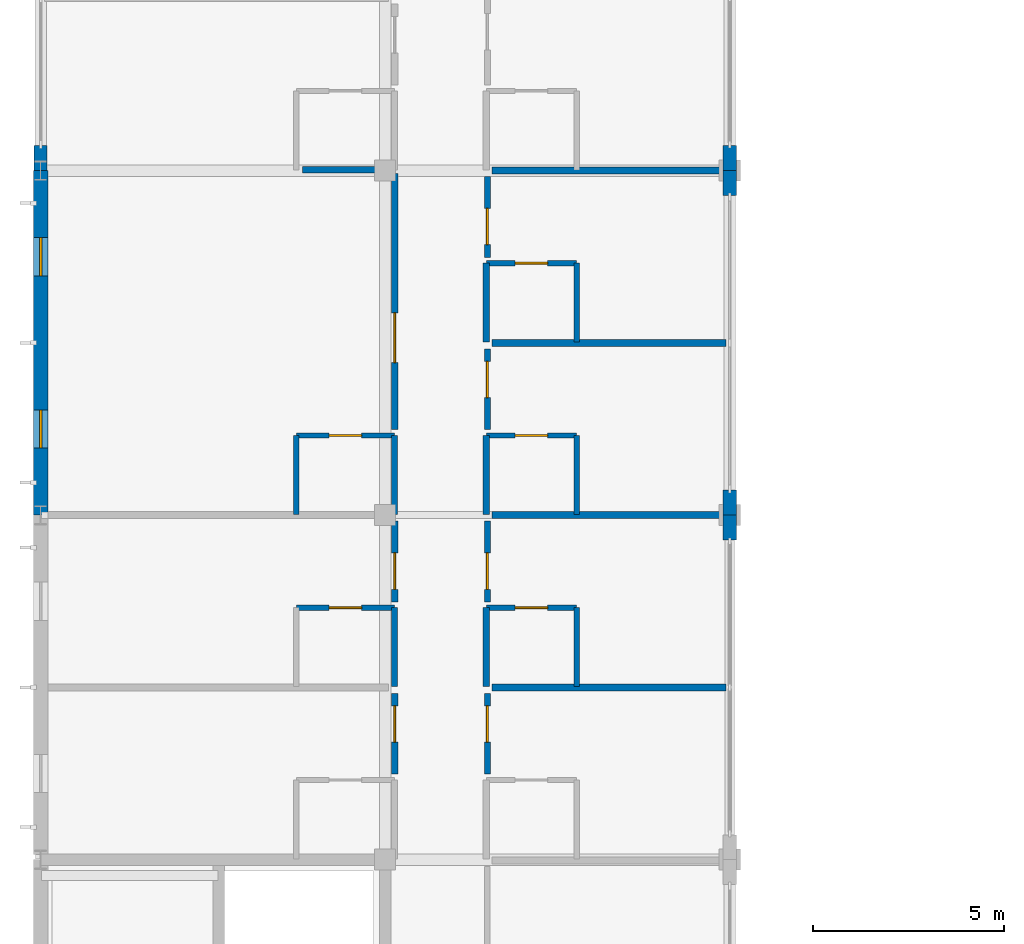
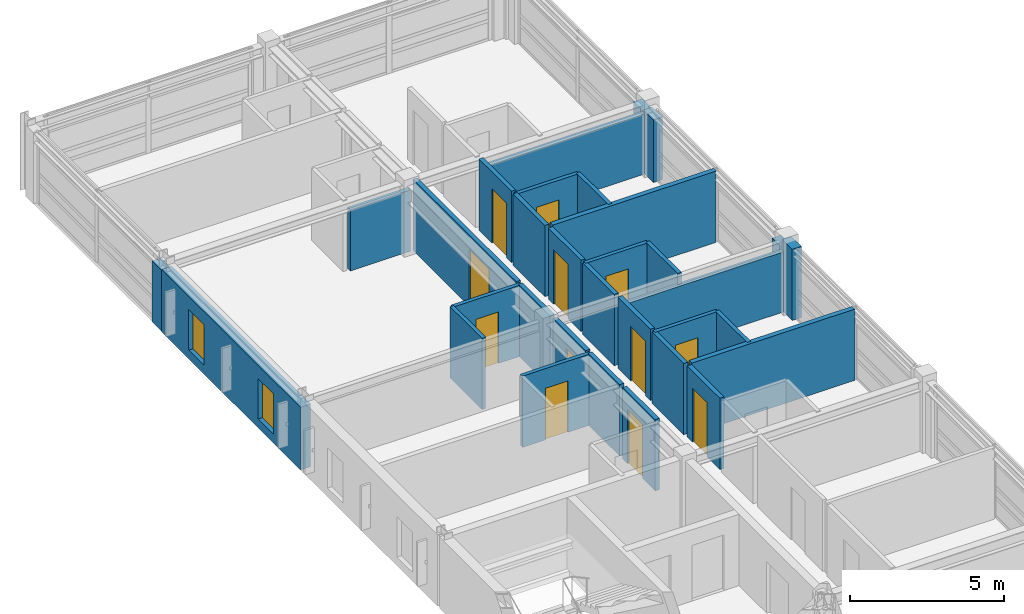
# One storey, part 20 of 30: 32 walls, 12 doors, 2 windows, 14 openings.
"""IFC4 building model written with IfcOpenShell, lengths in metres."""

from ifc_helpers import new_model, si_unit, direction, frame, frame_2d, origin, place, context, subcontext, project, spatial, rectangle, extrude, material, layer, layer_set, type_object, element, fill, save


model = new_model("IFC4")

# Units and contexts
model_context = context("Model", 3, precision=1e-05, world=origin(), true_north=direction((0.0, 1.0)))
body_context = subcontext(model_context, "Body", "Model", "MODEL_VIEW")
ifc_project = project(units=[si_unit("LENGTHUNIT", "METRE"), si_unit("AREAUNIT", "SQUARE_METRE"), si_unit("VOLUMEUNIT", "CUBIC_METRE"), si_unit("PLANEANGLEUNIT", "RADIAN"), si_unit("MASSUNIT", "GRAM", prefix="KILO")], contexts=[model_context])

# Site, building, storey
site_placement = place(None, origin())
site = spatial("IfcSite", under=ifc_project, at=site_placement, CompositionType="ELEMENT")
building_placement = place(site_placement, origin())
building = spatial("IfcBuilding", under=site, at=building_placement, Name="Palais des Congres Ocreval", CompositionType="ELEMENT")
storey_placement = place(building_placement, frame((0.0, 0.0, 14.56005859375)))
storey = spatial("IfcBuildingStorey", under=building, at=storey_placement, Name="L04", CompositionType="ELEMENT", Elevation=14.56005859375)

# Wall, opening, door
ifc_material_1 = material(Name="Moisture-resistant gypsum board")
ifc_layer_1 = layer(ifc_material_1, 0.139892578125)
ifc_layer_set_1 = layer_set([ifc_layer_1], Name="Bathroom Plumbing Chase Wall 140 Gypsum (Moisture-resistant gypsum board)")
wall_type_1 = type_object("IfcWallType", Name="Bathroom Plumbing Chase Wall 140 Gypsum", PredefinedType="PLUMBINGWALL", material=ifc_layer_set_1)
wall_1_placement = place(storey_placement, frame((6.679931640625, 51.580078125, 0.0), z_axis=(0.0, 0.0, 1.0), x_axis=(1.0, 0.0, 0.0)))
wall_1 = element("IfcWall", 1, at=wall_1_placement, inside=storey, type_object=wall_type_1, Name="Bathroom Plumbing Wall PW03 L04", PredefinedType="PLUMBINGWALL", context=body_context, shape_type="SweptSolid", body=[
    extrude(rectangle(XDim=2.56005859375, YDim=0.139892578125, at=frame_2d((1.280029296875, 0.0))), origin(), (0.0, 0.0, 1.0), 2.81982421875),
])
opening_1_placement = place(wall_1_placement, frame((0.85498046875, 0.0, 0.0)))
opening_1 = element("IfcOpeningElement", 2, at=opening_1_placement, cuts=wall_1, Name="Opening D08", PredefinedType="OPENING", context=body_context, shape_type="SweptSolid", body=[
    extrude(rectangle(XDim=0.85009765625, YDim=2.0400390625, at=frame_2d((0.425048828125, 1.02001953125))), frame((0.0, 0.079833984375, 0.0), z_axis=(0.0, -1.0, 0.0), x_axis=(1.0, 0.0, 0.0)), (0.0, 0.0, 1.0), 0.159912109375),
])
ifc_material_2 = material(Name="Solid French oak", Category="wood")
door_type_1 = type_object("IfcDoorType", Name="En-Suite Bathroom Door 850x2040", OperationType="NOTDEFINED", PredefinedType="DOOR", material=ifc_material_2)
door_1_placement = place(opening_1_placement, origin())
door_1 = element("IfcDoor", 3, at=door_1_placement, inside=storey, type_object=door_type_1, Name="En-Suite Bathroom Door D08 L04", OperationType="SINGLE_SWING_RIGHT", OverallHeight=2.0400390625, OverallWidth=0.85009765625, PredefinedType="DOOR", context=body_context, shape_type="SweptSolid", body=[
    extrude(rectangle(XDim=0.85009765625, YDim=2.0400390625, at=frame_2d((0.425048828125, 1.02001953125))), frame((0.0, 0.02490234375, 0.0), z_axis=(0.0, -1.0, 0.0), x_axis=(1.0, 0.0, 0.0)), (0.0, 0.0, 1.0), 0.050048828125),
])
fill(opening_1, door_1)

wall_2_placement = place(storey_placement, frame((11.639892578125, 51.580078125, 0.0), z_axis=(0.0, 0.0, 1.0), x_axis=(1.0, 0.0, 0.0)))
wall_2 = element("IfcWall", 4, at=wall_2_placement, inside=storey, type_object=wall_type_1, Name="Bathroom Plumbing Wall PW03 L04", PredefinedType="PLUMBINGWALL", context=body_context, shape_type="SweptSolid", body=[
    extrude(rectangle(XDim=2.360107421875, YDim=0.139892578125, at=frame_2d((1.18017578125, 0.0))), origin(), (0.0, 0.0, 1.0), 2.81982421875),
])
opening_2_placement = place(wall_2_placement, frame((0.7548828125, 0.0, 0.0)))
opening_2 = element("IfcOpeningElement", 5, at=opening_2_placement, cuts=wall_2, Name="Opening D08", PredefinedType="OPENING", context=body_context, shape_type="SweptSolid", body=[
    extrude(rectangle(XDim=0.85009765625, YDim=2.0400390625, at=frame_2d((0.425048828125, 1.02001953125))), frame((0.0, 0.079833984375, 0.0), z_axis=(0.0, -1.0, 0.0), x_axis=(1.0, 0.0, 0.0)), (0.0, 0.0, 1.0), 0.159912109375),
])
door_2_placement = place(opening_2_placement, origin())
door_2 = element("IfcDoor", 6, at=door_2_placement, inside=storey, type_object=door_type_1, Name="En-Suite Bathroom Door D08 L04", OperationType="SINGLE_SWING_RIGHT", OverallHeight=2.0400390625, OverallWidth=0.85009765625, PredefinedType="DOOR", context=body_context, shape_type="SweptSolid", body=[
    extrude(rectangle(XDim=0.85009765625, YDim=2.0400390625, at=frame_2d((0.425048828125, 1.02001953125))), frame((0.0, 0.02490234375, 0.0), z_axis=(0.0, -1.0, 0.0), x_axis=(1.0, 0.0, 0.0)), (0.0, 0.0, 1.0), 0.050048828125),
])
fill(opening_2, door_2)

# Wall
wall_3_placement = place(storey_placement, frame((14.0, 49.52001953125, 0.0), z_axis=(0.0, 0.0, 1.0), x_axis=(0.0, 1.0, 0.0)))
element("IfcWall", 7, at=wall_3_placement, inside=storey, type_object=wall_type_1, Name="Bathroom Plumbing Wall PW03 L04", PredefinedType="PLUMBINGWALL", context=body_context, shape_type="SweptSolid", body=[
    extrude(rectangle(XDim=2.06005859375, YDim=0.139892578125, at=frame_2d((1.030029296875, 0.0))), origin(), (0.0, 0.0, 1.0), 2.81982421875),
])

# Wall, opening, door
wall_4_placement = place(storey_placement, frame((6.679931640625, 56.080078125, 0.0), z_axis=(0.0, 0.0, 1.0), x_axis=(1.0, 0.0, 0.0)))
wall_4 = element("IfcWall", 8, at=wall_4_placement, inside=storey, type_object=wall_type_1, Name="Bathroom Plumbing Wall PW03 L04", PredefinedType="PLUMBINGWALL", context=body_context, shape_type="SweptSolid", body=[
    extrude(rectangle(XDim=2.56005859375, YDim=0.139892578125, at=frame_2d((1.280029296875, 0.0))), origin(), (0.0, 0.0, 1.0), 2.81982421875),
])
opening_3_placement = place(wall_4_placement, frame((0.85498046875, 0.0, 0.0)))
opening_3 = element("IfcOpeningElement", 9, at=opening_3_placement, cuts=wall_4, Name="Opening D08", PredefinedType="OPENING", context=body_context, shape_type="SweptSolid", body=[
    extrude(rectangle(XDim=0.85009765625, YDim=2.0400390625, at=frame_2d((0.425048828125, 1.02001953125))), frame((0.0, 0.079833984375, 0.0), z_axis=(0.0, -1.0, 0.0), x_axis=(1.0, 0.0, 0.0)), (0.0, 0.0, 1.0), 0.159912109375),
])
door_3_placement = place(opening_3_placement, origin())
door_3 = element("IfcDoor", 10, at=door_3_placement, inside=storey, type_object=door_type_1, Name="En-Suite Bathroom Door D08 L04", OperationType="SINGLE_SWING_LEFT", OverallHeight=2.0400390625, OverallWidth=0.85009765625, PredefinedType="DOOR", context=body_context, shape_type="SweptSolid", body=[
    extrude(rectangle(XDim=0.85009765625, YDim=2.0400390625, at=frame_2d((0.425048828125, 1.02001953125))), frame((0.0, 0.02490234375, 0.0), z_axis=(0.0, -1.0, 0.0), x_axis=(1.0, 0.0, 0.0)), (0.0, 0.0, 1.0), 0.050048828125),
])
fill(opening_3, door_3)

# Wall
wall_5_placement = place(storey_placement, frame((6.679931640625, 54.02001953125, 0.0), z_axis=(0.0, 0.0, 1.0), x_axis=(0.0, 1.0, 0.0)))
element("IfcWall", 11, at=wall_5_placement, inside=storey, type_object=wall_type_1, Name="Bathroom Plumbing Wall PW03 L04", PredefinedType="PLUMBINGWALL", context=body_context, shape_type="SweptSolid", body=[
    extrude(rectangle(XDim=2.06005859375, YDim=0.139892578125, at=frame_2d((1.030029296875, 0.0))), origin(), (0.0, 0.0, 1.0), 2.81982421875),
])

# Wall, opening, door
wall_6_placement = place(storey_placement, frame((11.639892578125, 56.080078125, 0.0), z_axis=(0.0, 0.0, 1.0), x_axis=(1.0, 0.0, 0.0)))
wall_6 = element("IfcWall", 12, at=wall_6_placement, inside=storey, type_object=wall_type_1, Name="Bathroom Plumbing Wall PW03 L04", PredefinedType="PLUMBINGWALL", context=body_context, shape_type="SweptSolid", body=[
    extrude(rectangle(XDim=2.360107421875, YDim=0.139892578125, at=frame_2d((1.18017578125, 0.0))), origin(), (0.0, 0.0, 1.0), 2.81982421875),
])
opening_4_placement = place(wall_6_placement, frame((0.7548828125, 0.0, 0.0)))
opening_4 = element("IfcOpeningElement", 13, at=opening_4_placement, cuts=wall_6, Name="Opening D08", PredefinedType="OPENING", context=body_context, shape_type="SweptSolid", body=[
    extrude(rectangle(XDim=0.85009765625, YDim=2.0400390625, at=frame_2d((0.425048828125, 1.02001953125))), frame((0.0, 0.079833984375, 0.0), z_axis=(0.0, -1.0, 0.0), x_axis=(1.0, 0.0, 0.0)), (0.0, 0.0, 1.0), 0.159912109375),
])
door_4_placement = place(opening_4_placement, origin())
door_4 = element("IfcDoor", 14, at=door_4_placement, inside=storey, type_object=door_type_1, Name="En-Suite Bathroom Door D08 L04", OperationType="SINGLE_SWING_RIGHT", OverallHeight=2.0400390625, OverallWidth=0.85009765625, PredefinedType="DOOR", context=body_context, shape_type="SweptSolid", body=[
    extrude(rectangle(XDim=0.85009765625, YDim=2.0400390625, at=frame_2d((0.425048828125, 1.02001953125))), frame((0.0, 0.02490234375, 0.0), z_axis=(0.0, -1.0, 0.0), x_axis=(1.0, 0.0, 0.0)), (0.0, 0.0, 1.0), 0.050048828125),
])
fill(opening_4, door_4)

# Wall
wall_7_placement = place(storey_placement, frame((14.0, 54.02001953125, 0.0), z_axis=(0.0, 0.0, 1.0), x_axis=(0.0, 1.0, 0.0)))
element("IfcWall", 15, at=wall_7_placement, inside=storey, type_object=wall_type_1, Name="Bathroom Plumbing Wall PW03 L04", PredefinedType="PLUMBINGWALL", context=body_context, shape_type="SweptSolid", body=[
    extrude(rectangle(XDim=2.06005859375, YDim=0.139892578125, at=frame_2d((1.030029296875, 0.0))), origin(), (0.0, 0.0, 1.0), 2.81982421875),
])

# Wall, opening, door
wall_8_placement = place(storey_placement, frame((11.639892578125, 60.580078125, 0.0), z_axis=(0.0, 0.0, 1.0), x_axis=(1.0, 0.0, 0.0)))
wall_8 = element("IfcWall", 16, at=wall_8_placement, inside=storey, type_object=wall_type_1, Name="Bathroom Plumbing Wall PW03 L04", PredefinedType="PLUMBINGWALL", context=body_context, shape_type="SweptSolid", body=[
    extrude(rectangle(XDim=2.360107421875, YDim=0.139892578125, at=frame_2d((1.18017578125, 0.0))), origin(), (0.0, 0.0, 1.0), 2.81982421875),
])
opening_5_placement = place(wall_8_placement, frame((0.7548828125, 0.0, 0.0)))
opening_5 = element("IfcOpeningElement", 17, at=opening_5_placement, cuts=wall_8, Name="Opening D08", PredefinedType="OPENING", context=body_context, shape_type="SweptSolid", body=[
    extrude(rectangle(XDim=0.85009765625, YDim=2.0400390625, at=frame_2d((0.425048828125, 1.02001953125))), frame((0.0, 0.079833984375, 0.0), z_axis=(0.0, -1.0, 0.0), x_axis=(1.0, 0.0, 0.0)), (0.0, 0.0, 1.0), 0.159912109375),
])
door_5_placement = place(opening_5_placement, origin())
door_5 = element("IfcDoor", 18, at=door_5_placement, inside=storey, type_object=door_type_1, Name="En-Suite Bathroom Door D08 L04", OperationType="SINGLE_SWING_LEFT", OverallHeight=2.0400390625, OverallWidth=0.85009765625, PredefinedType="DOOR", context=body_context, shape_type="SweptSolid", body=[
    extrude(rectangle(XDim=0.85009765625, YDim=2.0400390625, at=frame_2d((0.425048828125, 1.02001953125))), frame((0.0, 0.02490234375, 0.0), z_axis=(0.0, -1.0, 0.0), x_axis=(1.0, 0.0, 0.0)), (0.0, 0.0, 1.0), 0.050048828125),
])
fill(opening_5, door_5)

# Walls
wall_9_placement = place(storey_placement, frame((14.0, 58.52001953125, 0.0), z_axis=(0.0, 0.0, 1.0), x_axis=(0.0, 1.0, 0.0)))
element("IfcWall", 19, at=wall_9_placement, inside=storey, type_object=wall_type_1, Name="Bathroom Plumbing Wall PW03 L04", PredefinedType="PLUMBINGWALL", context=body_context, shape_type="SweptSolid", body=[
    extrude(rectangle(XDim=2.06005859375, YDim=0.139892578125, at=frame_2d((1.030029296875, 0.0))), origin(), (0.0, 0.0, 1.0), 2.81982421875),
])
ifc_material_3 = material(Name="Gypsum acoustic partition")
ifc_layer_2 = layer(ifc_material_3, 0.159912109375)
ifc_layer_set_2 = layer_set([ifc_layer_2], Name="Corridor Fire Partition 160 Gypsum (Gypsum acoustic partition)")
wall_type_2 = type_object("IfcWallType", Name="Corridor Fire Partition 160 Gypsum", PredefinedType="PARTITIONING", material=ifc_layer_set_2)
for number, where, z_axis, x_axis, name in (
    (20, (9.239990234375, 49.52001953125, 0.0), (0.0, 0.0, 1.0), (0.0, 1.0, 0.0), "Corridor Partition IW03 L04"),
    (21, (11.639892578125, 49.52001953125, 0.0), (0.0, 0.0, 1.0), (0.0, 1.0, 0.0), "Corridor Partition IW03 L04"),
    (22, (9.239990234375, 54.02001953125, 0.0), (0.0, 0.0, 1.0), (0.0, 1.0, 0.0), "Corridor Partition IW03 L04"),
    (23, (11.639892578125, 54.02001953125, 0.0), (0.0, 0.0, 1.0), (0.0, 1.0, 0.0), "Corridor Partition IW03 L04"),
    (24, (11.639892578125, 58.52001953125, 0.0), (0.0, 0.0, 1.0), (0.0, 1.0, 0.0), "Corridor Partition IW03 L04"),
):
    element("IfcWall", number, at=place(storey_placement, frame(where, z_axis=z_axis, x_axis=x_axis)), inside=storey, type_object=wall_type_2, Name=name, PredefinedType="PARTITIONING", context=body_context, shape_type="SweptSolid", body=[
        extrude(rectangle(XDim=2.06005859375, YDim=0.159912109375, at=frame_2d((1.030029296875, 0.0))), origin(), (0.0, 0.0, 1.0), 2.81982421875),
    ])

# Wall, opening, door
wall_10_placement = place(storey_placement, frame((9.25, 47.235107421875, 0.0), z_axis=(0.0, 0.0, 1.0), x_axis=(0.0, 1.0, 0.0)))
wall_10 = element("IfcWall", 25, at=wall_10_placement, inside=storey, type_object=wall_type_2, Name="Interior Partition IW03 L04", PredefinedType="PARTITIONING", context=body_context, shape_type="SweptSolid", body=[
    extrude(rectangle(XDim=2.10986328125, YDim=0.159912109375, at=frame_2d((1.054931640625, 0.0))), origin(), (0.0, 0.0, 1.0), 2.81982421875),
])
opening_6_placement = place(wall_10_placement, frame((0.833251953125, 0.0, 0.0)))
opening_6 = element("IfcOpeningElement", 26, at=opening_6_placement, cuts=wall_10, Name="Opening D05", PredefinedType="OPENING", context=body_context, shape_type="SweptSolid", body=[
    extrude(rectangle(XDim=0.949951171875, YDim=2.14990234375, at=frame_2d((0.47509765625, 1.074951171875))), frame((0.0, 0.08984375, 0.0), z_axis=(0.0, -1.0, 0.0), x_axis=(1.0, 0.0, 0.0)), (0.0, 0.0, 1.0), 0.179931640625),
])
door_type_2 = type_object("IfcDoorType", Name="Hotel Guestroom Entrance Door 950x2150", OperationType="NOTDEFINED", PredefinedType="DOOR", material=ifc_material_2)
door_6_placement = place(opening_6_placement, origin())
door_6 = element("IfcDoor", 27, at=door_6_placement, inside=storey, type_object=door_type_2, Name="Interior Door D05 L04", OperationType="SINGLE_SWING_LEFT", OverallHeight=2.14990234375, OverallWidth=0.949951171875, PredefinedType="DOOR", context=body_context, shape_type="SweptSolid", body=[
    extrude(rectangle(XDim=0.949951171875, YDim=2.14990234375, at=frame_2d((0.47509765625, 1.074951171875))), frame((0.0, 0.02490234375, 0.0), z_axis=(0.0, -1.0, 0.0), x_axis=(1.0, 0.0, 0.0)), (0.0, 0.0, 1.0), 0.050048828125),
])
fill(opening_6, door_6)

wall_11_placement = place(storey_placement, frame((9.25, 51.735107421875, 0.0), z_axis=(0.0, 0.0, 1.0), x_axis=(0.0, 1.0, 0.0)))
wall_11 = element("IfcWall", 28, at=wall_11_placement, inside=storey, type_object=wall_type_2, Name="Interior Partition IW03 L04", PredefinedType="PARTITIONING", context=body_context, shape_type="SweptSolid", body=[
    extrude(rectangle(XDim=2.10986328125, YDim=0.159912109375, at=frame_2d((1.054931640625, 0.0))), origin(), (0.0, 0.0, 1.0), 2.81982421875),
])
opening_7_placement = place(wall_11_placement, frame((0.326904296875, 0.0, 0.0)))
opening_7 = element("IfcOpeningElement", 29, at=opening_7_placement, cuts=wall_11, Name="Opening D05", PredefinedType="OPENING", context=body_context, shape_type="SweptSolid", body=[
    extrude(rectangle(XDim=0.949951171875, YDim=2.14990234375, at=frame_2d((0.47509765625, 1.074951171875))), frame((0.0, 0.08984375, 0.0), z_axis=(0.0, -1.0, 0.0), x_axis=(1.0, 0.0, 0.0)), (0.0, 0.0, 1.0), 0.179931640625),
])
door_7_placement = place(opening_7_placement, origin())
door_7 = element("IfcDoor", 30, at=door_7_placement, inside=storey, type_object=door_type_2, Name="Interior Door D05 L04", OperationType="SINGLE_SWING_RIGHT", OverallHeight=2.14990234375, OverallWidth=0.949951171875, PredefinedType="DOOR", context=body_context, shape_type="SweptSolid", body=[
    extrude(rectangle(XDim=0.949951171875, YDim=2.14990234375, at=frame_2d((0.47509765625, 1.074951171875))), frame((0.0, 0.02490234375, 0.0), z_axis=(0.0, -1.0, 0.0), x_axis=(1.0, 0.0, 0.0)), (0.0, 0.0, 1.0), 0.050048828125),
])
fill(opening_7, door_7)

wall_12_placement = place(storey_placement, frame((11.669921875, 47.235107421875, 0.0), z_axis=(0.0, 0.0, 1.0), x_axis=(0.0, 1.0, 0.0)))
wall_12 = element("IfcWall", 31, at=wall_12_placement, inside=storey, type_object=wall_type_2, Name="Interior Partition IW03 L04", PredefinedType="PARTITIONING", context=body_context, shape_type="SweptSolid", body=[
    extrude(rectangle(XDim=2.10986328125, YDim=0.159912109375, at=frame_2d((1.054931640625, 0.0))), origin(), (0.0, 0.0, 1.0), 2.81982421875),
])
opening_8_placement = place(wall_12_placement, frame((0.833251953125, 0.0, 0.0)))
opening_8 = element("IfcOpeningElement", 32, at=opening_8_placement, cuts=wall_12, Name="Opening D05", PredefinedType="OPENING", context=body_context, shape_type="SweptSolid", body=[
    extrude(rectangle(XDim=0.949951171875, YDim=2.14990234375, at=frame_2d((0.47509765625, 1.074951171875))), frame((0.0, 0.08984375, 0.0), z_axis=(0.0, -1.0, 0.0), x_axis=(1.0, 0.0, 0.0)), (0.0, 0.0, 1.0), 0.179931640625),
])
door_8_placement = place(opening_8_placement, origin())
door_8 = element("IfcDoor", 33, at=door_8_placement, inside=storey, type_object=door_type_2, Name="Interior Door D05 L04", OperationType="SINGLE_SWING_LEFT", OverallHeight=2.14990234375, OverallWidth=0.949951171875, PredefinedType="DOOR", context=body_context, shape_type="SweptSolid", body=[
    extrude(rectangle(XDim=0.949951171875, YDim=2.14990234375, at=frame_2d((0.47509765625, 1.074951171875))), frame((0.0, 0.02490234375, 0.0), z_axis=(0.0, -1.0, 0.0), x_axis=(1.0, 0.0, 0.0)), (0.0, 0.0, 1.0), 0.050048828125),
])
fill(opening_8, door_8)

wall_13_placement = place(storey_placement, frame((11.669921875, 51.735107421875, 0.0), z_axis=(0.0, 0.0, 1.0), x_axis=(0.0, 1.0, 0.0)))
wall_13 = element("IfcWall", 34, at=wall_13_placement, inside=storey, type_object=wall_type_2, Name="Interior Partition IW03 L04", PredefinedType="PARTITIONING", context=body_context, shape_type="SweptSolid", body=[
    extrude(rectangle(XDim=2.10986328125, YDim=0.159912109375, at=frame_2d((1.054931640625, 0.0))), origin(), (0.0, 0.0, 1.0), 2.81982421875),
])
opening_9_placement = place(wall_13_placement, frame((0.326904296875, 0.0, 0.0)))
opening_9 = element("IfcOpeningElement", 35, at=opening_9_placement, cuts=wall_13, Name="Opening D05", PredefinedType="OPENING", context=body_context, shape_type="SweptSolid", body=[
    extrude(rectangle(XDim=0.949951171875, YDim=2.14990234375, at=frame_2d((0.47509765625, 1.074951171875))), frame((0.0, 0.08984375, 0.0), z_axis=(0.0, -1.0, 0.0), x_axis=(1.0, 0.0, 0.0)), (0.0, 0.0, 1.0), 0.179931640625),
])
door_9_placement = place(opening_9_placement, origin())
door_9 = element("IfcDoor", 36, at=door_9_placement, inside=storey, type_object=door_type_2, Name="Interior Door D05 L04", OperationType="SINGLE_SWING_RIGHT", OverallHeight=2.14990234375, OverallWidth=0.949951171875, PredefinedType="DOOR", context=body_context, shape_type="SweptSolid", body=[
    extrude(rectangle(XDim=0.949951171875, YDim=2.14990234375, at=frame_2d((0.47509765625, 1.074951171875))), frame((0.0, 0.02490234375, 0.0), z_axis=(0.0, -1.0, 0.0), x_axis=(1.0, 0.0, 0.0)), (0.0, 0.0, 1.0), 0.050048828125),
])
fill(opening_9, door_9)

wall_14_placement = place(storey_placement, frame((9.25, 56.235107421875, 0.0), z_axis=(0.0, 0.0, 1.0), x_axis=(0.0, 1.0, 0.0)))
wall_14 = element("IfcWall", 37, at=wall_14_placement, inside=storey, type_object=wall_type_2, Name="Interior Partition IW03 L04", PredefinedType="PARTITIONING", context=body_context, shape_type="SweptSolid", body=[
    extrude(rectangle(XDim=6.68994140625, YDim=0.159912109375, at=frame_2d((3.344970703125, 0.0))), origin(), (0.0, 0.0, 1.0), 2.81982421875),
])
opening_10_placement = place(wall_14_placement, frame((1.75, 0.0, 0.0)))
opening_10 = element("IfcOpeningElement", 38, at=opening_10_placement, cuts=wall_14, Name="Opening D07", PredefinedType="OPENING", context=body_context, shape_type="SweptSolid", body=[
    extrude(rectangle(XDim=1.300048828125, YDim=2.25, at=frame_2d((0.64990234375, 1.125))), frame((0.0, 0.08984375, 0.0), z_axis=(0.0, -1.0, 0.0), x_axis=(1.0, 0.0, 0.0)), (0.0, 0.0, 1.0), 0.179931640625),
])
door_type_3 = type_object("IfcDoorType", Name="Luxury Suite Double Door 1300x2250", OperationType="NOTDEFINED", PredefinedType="DOOR", material=ifc_material_2)
door_10_placement = place(opening_10_placement, origin())
door_10 = element("IfcDoor", 39, at=door_10_placement, inside=storey, type_object=door_type_3, Name="Interior Door D07 L04", OperationType="DOUBLE_DOOR_SINGLE_SWING", OverallHeight=2.25, OverallWidth=1.300048828125, PredefinedType="DOOR", context=body_context, shape_type="SweptSolid", body=[
    extrude(rectangle(XDim=1.300048828125, YDim=2.25, at=frame_2d((0.64990234375, 1.125))), frame((0.0, 0.02490234375, 0.0), z_axis=(0.0, -1.0, 0.0), x_axis=(1.0, 0.0, 0.0)), (0.0, 0.0, 1.0), 0.050048828125),
])
fill(opening_10, door_10)

wall_15_placement = place(storey_placement, frame((11.669921875, 56.235107421875, 0.0), z_axis=(0.0, 0.0, 1.0), x_axis=(0.0, 1.0, 0.0)))
wall_15 = element("IfcWall", 40, at=wall_15_placement, inside=storey, type_object=wall_type_2, Name="Interior Partition IW03 L04", PredefinedType="PARTITIONING", context=body_context, shape_type="SweptSolid", body=[
    extrude(rectangle(XDim=2.10986328125, YDim=0.159912109375, at=frame_2d((1.054931640625, 0.0))), origin(), (0.0, 0.0, 1.0), 2.81982421875),
])
opening_11_placement = place(wall_15_placement, frame((0.833251953125, 0.0, 0.0)))
opening_11 = element("IfcOpeningElement", 41, at=opening_11_placement, cuts=wall_15, Name="Opening D05", PredefinedType="OPENING", context=body_context, shape_type="SweptSolid", body=[
    extrude(rectangle(XDim=0.949951171875, YDim=2.14990234375, at=frame_2d((0.47509765625, 1.074951171875))), frame((0.0, 0.08984375, 0.0), z_axis=(0.0, -1.0, 0.0), x_axis=(1.0, 0.0, 0.0)), (0.0, 0.0, 1.0), 0.179931640625),
])
door_11_placement = place(opening_11_placement, origin())
door_11 = element("IfcDoor", 42, at=door_11_placement, inside=storey, type_object=door_type_2, Name="Interior Door D05 L04", OperationType="SINGLE_SWING_LEFT", OverallHeight=2.14990234375, OverallWidth=0.949951171875, PredefinedType="DOOR", context=body_context, shape_type="SweptSolid", body=[
    extrude(rectangle(XDim=0.949951171875, YDim=2.14990234375, at=frame_2d((0.47509765625, 1.074951171875))), frame((0.0, 0.02490234375, 0.0), z_axis=(0.0, -1.0, 0.0), x_axis=(1.0, 0.0, 0.0)), (0.0, 0.0, 1.0), 0.050048828125),
])
fill(opening_11, door_11)

wall_16_placement = place(storey_placement, frame((11.669921875, 60.735107421875, 0.0), z_axis=(0.0, 0.0, 1.0), x_axis=(0.0, 1.0, 0.0)))
wall_16 = element("IfcWall", 43, at=wall_16_placement, inside=storey, type_object=wall_type_2, Name="Interior Partition IW03 L04", PredefinedType="PARTITIONING", context=body_context, shape_type="SweptSolid", body=[
    extrude(rectangle(XDim=2.10986328125, YDim=0.159912109375, at=frame_2d((1.054931640625, 0.0))), origin(), (0.0, 0.0, 1.0), 2.81982421875),
])
opening_12_placement = place(wall_16_placement, frame((0.326904296875, 0.0, 0.0)))
opening_12 = element("IfcOpeningElement", 44, at=opening_12_placement, cuts=wall_16, Name="Opening D05", PredefinedType="OPENING", context=body_context, shape_type="SweptSolid", body=[
    extrude(rectangle(XDim=0.949951171875, YDim=2.14990234375, at=frame_2d((0.47509765625, 1.074951171875))), frame((0.0, 0.08984375, 0.0), z_axis=(0.0, -1.0, 0.0), x_axis=(1.0, 0.0, 0.0)), (0.0, 0.0, 1.0), 0.179931640625),
])
door_12_placement = place(opening_12_placement, origin())
door_12 = element("IfcDoor", 45, at=door_12_placement, inside=storey, type_object=door_type_2, Name="Interior Door D05 L04", OperationType="SINGLE_SWING_RIGHT", OverallHeight=2.14990234375, OverallWidth=0.949951171875, PredefinedType="DOOR", context=body_context, shape_type="SweptSolid", body=[
    extrude(rectangle(XDim=0.949951171875, YDim=2.14990234375, at=frame_2d((0.47509765625, 1.074951171875))), frame((0.0, 0.02490234375, 0.0), z_axis=(0.0, -1.0, 0.0), x_axis=(1.0, 0.0, 0.0)), (0.0, 0.0, 1.0), 0.050048828125),
])
fill(opening_12, door_12)

# Walls
ifc_layer_3 = layer(ifc_material_3, 0.179931640625)
ifc_layer_set_3 = layer_set([ifc_layer_3], Name="Hotel Inter-Room Acoustic Partition 180 Gypsum (Gypsum acoustic partition)")
wall_type_3 = type_object("IfcWallType", Name="Hotel Inter-Room Acoustic Partition 180 Gypsum", PredefinedType="PARTITIONING", material=ifc_layer_set_3)
wall_17_placement = place(storey_placement, frame((11.794921875, 49.5, 0.0), z_axis=(0.0, 0.0, 1.0), x_axis=(1.0, 0.0, 0.0)))
element("IfcWall", 46, at=wall_17_placement, inside=storey, type_object=wall_type_3, Name="Hotel Party Partition IW02 L04", PredefinedType="PARTITIONING", context=body_context, shape_type="SweptSolid", body=[
    extrude(rectangle(XDim=6.110107421875, YDim=0.179931640625, at=frame_2d((3.05517578125, 0.0))), origin(), (0.0, 0.0, 1.0), 2.81982421875),
])
wall_18_placement = place(storey_placement, frame((11.794921875, 54.0, 0.0), z_axis=(0.0, 0.0, 1.0), x_axis=(1.0, 0.0, 0.0)))
element("IfcWall", 47, at=wall_18_placement, inside=storey, type_object=wall_type_3, Name="Hotel Party Partition IW02 L04", PredefinedType="PARTITIONING", context=body_context, shape_type="SweptSolid", body=[
    extrude(rectangle(XDim=6.030029296875, YDim=0.179931640625, at=frame_2d((3.01513671875, 0.0))), origin(), (0.0, 0.0, 1.0), 2.3798828125),
])
wall_19_placement = place(storey_placement, frame((11.794921875, 58.5, 0.0), z_axis=(0.0, 0.0, 1.0), x_axis=(1.0, 0.0, 0.0)))
element("IfcWall", 48, at=wall_19_placement, inside=storey, type_object=wall_type_3, Name="Hotel Party Partition IW02 L04", PredefinedType="PARTITIONING", context=body_context, shape_type="SweptSolid", body=[
    extrude(rectangle(XDim=6.110107421875, YDim=0.179931640625, at=frame_2d((3.05517578125, 0.0))), origin(), (0.0, 0.0, 1.0), 2.81982421875),
])
wall_20_placement = place(storey_placement, frame((11.794921875, 63.0, 0.0), z_axis=(0.0, 0.0, 1.0), x_axis=(1.0, 0.0, 0.0)))
element("IfcWall", 49, at=wall_20_placement, inside=storey, type_object=wall_type_3, Name="Hotel Party Partition IW02 L04", PredefinedType="PARTITIONING", context=body_context, shape_type="SweptSolid", body=[
    extrude(rectangle(XDim=6.030029296875, YDim=0.179931640625, at=frame_2d((3.01513671875, 0.0))), origin(), (0.0, 0.0, 1.0), 2.3798828125),
])
wall_21_placement = place(storey_placement, frame((6.8349609375, 63.02001953125, 0.0), z_axis=(0.0, 0.0, 1.0), x_axis=(1.0, 0.0, 0.0)))
element("IfcWall", 50, at=wall_21_placement, inside=storey, type_object=wall_type_3, Name="Bathroom Party Closure Wall IW02 L04", PredefinedType="PARTITIONING", context=body_context, shape_type="SweptSolid", body=[
    extrude(rectangle(XDim=2.25, YDim=0.179931640625, at=frame_2d((1.125, 0.0))), origin(), (0.0, 0.0, 1.0), 2.419921875),
])

# Wall, openings, windows
ifc_material_4 = material(Name="Concrete C40/50", Category="concrete")
ifc_layer_4 = layer(ifc_material_4, 0.3798828125)
ifc_layer_set_4 = layer_set([ifc_layer_4], Name="Lutetian Limestone Street Wall 380 Concrete C40/50")
wall_type_4 = type_object("IfcWallType", Name="Lutetian Limestone Street Wall 380 Concrete C40/50", PredefinedType="SOLIDWALL", material=ifc_layer_set_4)
wall_22_placement = place(storey_placement, frame((0.0, 54.0, 0.0), z_axis=(0.0, 0.0, 1.0), x_axis=(0.0, 1.0, 0.0)))
wall_22 = element("IfcWall", 51, at=wall_22_placement, inside=storey, type_object=wall_type_4, Name="Exterior Wall EW03 L04", PredefinedType="SOLIDWALL", context=body_context, shape_type="SweptSolid", body=[
    extrude(rectangle(XDim=9.0, YDim=0.3798828125, at=frame_2d((4.5, 0.0))), origin(), (0.0, 0.0, 1.0), 2.47998046875),
])
opening_13_placement = place(wall_22_placement, frame((1.75, 0.0, 0.35009765625)))
opening_13 = element("IfcOpeningElement", 52, at=opening_13_placement, cuts=wall_22, Name="Opening WN18", PredefinedType="OPENING", context=body_context, shape_type="SweptSolid", body=[
    extrude(rectangle(XDim=1.0, YDim=1.60009765625, at=frame_2d((0.5, 0.800048828125))), frame((0.0, 0.199951171875, 0.0), z_axis=(0.0, -1.0, 0.0), x_axis=(1.0, 0.0, 0.0)), (0.0, 0.0, 1.0), 0.39990234375),
])
opening_14_placement = place(wall_22_placement, frame((6.25, 0.0, 0.35009765625)))
opening_14 = element("IfcOpeningElement", 53, at=opening_14_placement, cuts=wall_22, Name="Opening WN18", PredefinedType="OPENING", context=body_context, shape_type="SweptSolid", body=[
    extrude(rectangle(XDim=1.0, YDim=1.60009765625, at=frame_2d((0.5, 0.800048828125))), frame((0.0, 0.199951171875, 0.0), z_axis=(0.0, -1.0, 0.0), x_axis=(1.0, 0.0, 0.0)), (0.0, 0.0, 1.0), 0.39990234375),
])
ifc_material_5 = material(Name="Anodized bronze aluminium and low-E glass", Category="glass")
window_type = type_object("IfcWindowType", Name="Stair and Lobby Daylight Window 1000x1600", PartitioningType="SINGLE_PANEL", PredefinedType="WINDOW", material=ifc_material_5)
window_1_placement = place(opening_13_placement, origin())
window_1 = element("IfcWindow", 54, at=window_1_placement, inside=storey, type_object=window_type, Name="Hotel Facade Window WN18", OverallHeight=1.60009765625, OverallWidth=1.0, PartitioningType="SINGLE_PANEL", PredefinedType="WINDOW", context=body_context, shape_type="SweptSolid", body=[
    extrude(rectangle(XDim=1.0, YDim=1.60009765625, at=frame_2d((0.5, 0.800048828125))), frame((0.0, 0.030029296875, 0.0), z_axis=(0.0, -1.0, 0.0), x_axis=(1.0, 0.0, 0.0)), (0.0, 0.0, 1.0), 0.06005859375),
])
fill(opening_13, window_1)
window_2_placement = place(opening_14_placement, origin())
window_2 = element("IfcWindow", 55, at=window_2_placement, inside=storey, type_object=window_type, Name="Hotel Facade Window WN18", OverallHeight=1.60009765625, OverallWidth=1.0, PartitioningType="SINGLE_PANEL", PredefinedType="WINDOW", context=body_context, shape_type="SweptSolid", body=[
    extrude(rectangle(XDim=1.0, YDim=1.60009765625, at=frame_2d((0.5, 0.800048828125))), frame((0.0, 0.030029296875, 0.0), z_axis=(0.0, -1.0, 0.0), x_axis=(1.0, 0.0, 0.0)), (0.0, 0.0, 1.0), 0.06005859375),
])
fill(opening_14, window_2)

# Walls
ifc_layer_5 = layer(ifc_material_4, 0.340087890625)
ifc_layer_set_5 = layer_set([ifc_layer_5], Name="Ochre Mineral-Lime Courtyard Wall 340 Concrete C40/50")
wall_type_5 = type_object("IfcWallType", Name="Ochre Mineral-Lime Courtyard Wall 340 Concrete C40/50", PredefinedType="SOLIDWALL", material=ifc_layer_set_5)
for number, where, z_axis, x_axis, name in (
    (56, (0.0, 63.0, 0.0), (0.0, 0.0, 1.0), (0.0, 1.0, 0.0), "Facade Pier EW04 L04"),
    (57, (18.0, 63.64990234375, 0.0), (0.0, 0.0, 1.0), (0.0, -1.0, 0.0), "Facade Pier EW04 L04"),
):
    element("IfcWall", number, at=place(storey_placement, frame(where, z_axis=z_axis, x_axis=x_axis)), inside=storey, type_object=wall_type_5, Name=name, PredefinedType="SOLIDWALL", context=body_context, shape_type="SweptSolid", body=[
        extrude(rectangle(XDim=0.64990234375, YDim=0.340087890625, at=frame_2d((0.324951171875, 0.0))), origin(), (0.0, 0.0, 1.0), 2.419921875),
    ])
for number, where, z_axis, x_axis, name in (
    (58, (18.0, 63.0, 0.0), (0.0, 0.0, 1.0), (0.0, -1.0, 0.0), "Facade Pier EW04 L04"),
    (59, (18.0, 54.64990234375, 0.0), (0.0, 0.0, 1.0), (0.0, -1.0, 0.0), "Facade Pier EW04 L04"),
):
    element("IfcWall", number, at=place(storey_placement, frame(where, z_axis=z_axis, x_axis=x_axis)), inside=storey, type_object=wall_type_5, Name=name, PredefinedType="SOLIDWALL", context=body_context, shape_type="SweptSolid", body=[
        extrude(rectangle(XDim=0.64990234375, YDim=0.340087890625, at=frame_2d((0.324951171875, 0.0))), origin(), (0.0, 0.0, 1.0), 2.47998046875),
    ])
wall_23_placement = place(storey_placement, frame((18.0, 54.0, 0.0), z_axis=(0.0, 0.0, 1.0), x_axis=(0.0, -1.0, 0.0)))
element("IfcWall", 60, at=wall_23_placement, inside=storey, type_object=wall_type_5, Name="Facade Pier EW04 L04", PredefinedType="SOLIDWALL", context=body_context, shape_type="SweptSolid", body=[
    extrude(rectangle(XDim=0.64990234375, YDim=0.340087890625, at=frame_2d((0.324951171875, 0.0))), origin(), (0.0, 0.0, 1.0), 2.81982421875),
])

save(model, "model.ifc")
